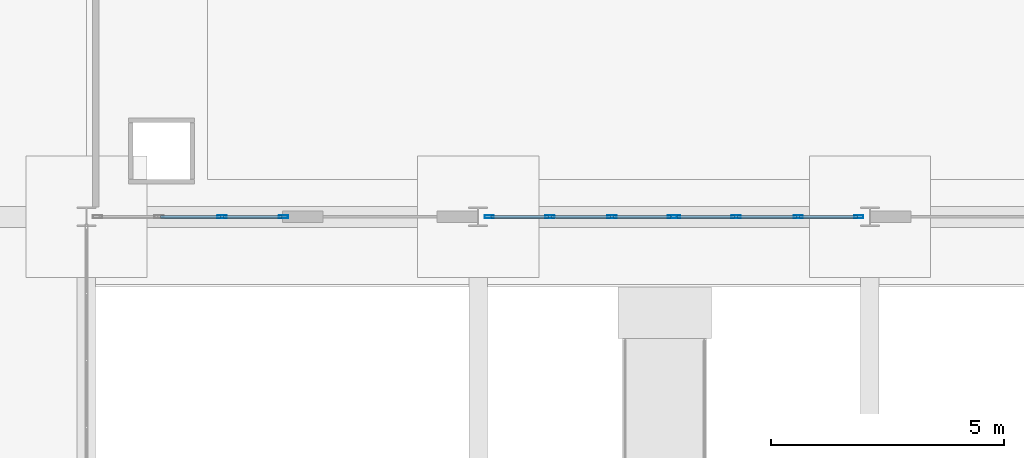
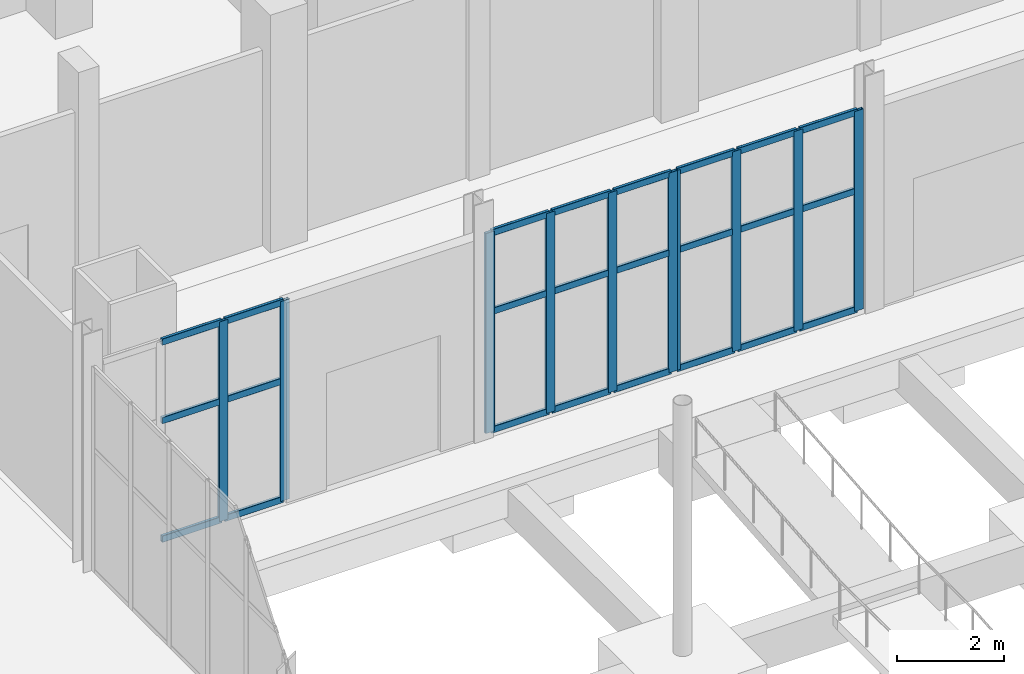
# One storey, part 40 of 95: 34 members, 3 elements without a shape of their own.
"""IFC4 building model written with IfcOpenShell, lengths in metres."""

from ifc_helpers import new_model, si_unit, direction, frame, origin, origin_2d, place, context, subcontext, project, spatial, hollow_rectangle, extrude, material, material_profile, profile_set, type_object, element, aggregate, save


model = new_model("IFC4")

# Units and contexts
model_context = context("Model", 3, precision=1e-05, world=origin(), true_north=direction((0.0, 1.0)))
body_context = subcontext(model_context, "Body", "Model", "MODEL_VIEW")
ifc_project = project(units=[si_unit("LENGTHUNIT", "METRE"), si_unit("AREAUNIT", "SQUARE_METRE"), si_unit("VOLUMEUNIT", "CUBIC_METRE"), si_unit("PLANEANGLEUNIT", "RADIAN"), si_unit("MASSUNIT", "GRAM", prefix="KILO")], contexts=[model_context])

# Site, building, storey
site_placement = place(None, origin())
site = spatial("IfcSite", under=ifc_project, at=site_placement, CompositionType="ELEMENT")
building_placement = place(site_placement, origin())
building = spatial("IfcBuilding", under=site, at=building_placement, Name="Shengluoqiao Park Theatre", CompositionType="ELEMENT")
storey_placement = place(building_placement, origin())
storey = spatial("IfcBuildingStorey", under=building, at=storey_placement, Name="L00", CompositionType="ELEMENT", Elevation=0.0)

# Curtain wall, members
ifc_material = material(Name="Aluminium 6063-T6", Category="aluminium")
curtain_wall_type = type_object("IfcCurtainWallType", Name="ENV-CW-PROM", PredefinedType="NOTDEFINED", material=ifc_material)
curtain_wall_1_placement = place(storey_placement, origin())
curtain_wall_1 = element("IfcCurtainWall", 1, at=curtain_wall_1_placement, inside=storey, type_object=curtain_wall_type, Name="L00 Curtain Wall CW-L00-0039", PredefinedType="NOTDEFINED")
ifc_material_profile_1 = material_profile(ifc_material, hollow_rectangle(XDim=0.06494140625, YDim=0.199951171875, WallThickness=0.0048828125, InnerFilletRadius=0.0048828125, OuterFilletRadius=0.010009765625, at=origin_2d()), Name="ALU MULLION 200x65x5")
ifc_profile_set_1 = profile_set([ifc_material_profile_1], Name="Aluminium 6063-T6")
member_type_1 = type_object("IfcMemberType", Name="ENV-MUL-200", PredefinedType="MULLION", material=ifc_profile_set_1)
member_1_placement = place(storey_placement, frame((47.308837890625, 68.39990234375, 0.0), z_axis=(0.0, 0.0, 1.0), x_axis=(0.0, 1.0, 0.0)))
member_1 = element("IfcMember", 2, at=member_1_placement, type_object=member_type_1, Name="CW-04 mullion 3", PredefinedType="MULLION", context=body_context, shape_type="SweptSolid", body=[
    extrude(hollow_rectangle(XDim=0.06494140625, YDim=0.199951171875, WallThickness=0.0048828125, InnerFilletRadius=0.0048828125, OuterFilletRadius=0.010009765625, at=origin_2d()), origin(), (0.0, 0.0, 1.0), 4.5419921875),
])
member_2_placement = place(storey_placement, frame((48.62744140625, 68.39990234375, 0.0), z_axis=(0.0, 0.0, 1.0), x_axis=(0.0, 1.0, 0.0)))
member_2 = element("IfcMember", 3, at=member_2_placement, type_object=member_type_1, Name="CW-04 mullion 4", PredefinedType="MULLION", context=body_context, shape_type="SweptSolid", body=[
    extrude(hollow_rectangle(XDim=0.06494140625, YDim=0.199951171875, WallThickness=0.0048828125, InnerFilletRadius=0.0048828125, OuterFilletRadius=0.010009765625, at=origin_2d()), origin(), (0.0, 0.0, 1.0), 4.5419921875),
])

curtain_wall_2_placement = place(storey_placement, origin())
curtain_wall_2 = element("IfcCurtainWall", 4, at=curtain_wall_2_placement, inside=storey, type_object=curtain_wall_type, Name="L00 Curtain Wall CW-L00-0040", PredefinedType="NOTDEFINED")
member_3_placement = place(storey_placement, frame((53.0390625, 68.39990234375, 0.0), z_axis=(0.0, 0.0, 1.0), x_axis=(0.0, 1.0, 0.0)))
member_3 = element("IfcMember", 5, at=member_3_placement, type_object=member_type_1, Name="CW-04 mullion 1", PredefinedType="MULLION", context=body_context, shape_type="SweptSolid", body=[
    extrude(hollow_rectangle(XDim=0.06494140625, YDim=0.199951171875, WallThickness=0.0048828125, InnerFilletRadius=0.0048828125, OuterFilletRadius=0.010009765625, at=origin_2d()), origin(), (0.0, 0.0, 1.0), 4.5419921875),
])
member_4_placement = place(storey_placement, frame((54.337646484375, 68.39990234375, 0.0), z_axis=(0.0, 0.0, 1.0), x_axis=(0.0, 1.0, 0.0)))
member_4 = element("IfcMember", 6, at=member_4_placement, type_object=member_type_1, Name="CW-04 mullion 2", PredefinedType="MULLION", context=body_context, shape_type="SweptSolid", body=[
    extrude(hollow_rectangle(XDim=0.06494140625, YDim=0.199951171875, WallThickness=0.0048828125, InnerFilletRadius=0.0048828125, OuterFilletRadius=0.010009765625, at=origin_2d()), origin(), (0.0, 0.0, 1.0), 4.5419921875),
])
member_5_placement = place(storey_placement, frame((55.6689453125, 68.39990234375, 0.0), z_axis=(0.0, 0.0, 1.0), x_axis=(0.0, 1.0, 0.0)))
member_5 = element("IfcMember", 7, at=member_5_placement, type_object=member_type_1, Name="CW-04 mullion 3", PredefinedType="MULLION", context=body_context, shape_type="SweptSolid", body=[
    extrude(hollow_rectangle(XDim=0.06494140625, YDim=0.199951171875, WallThickness=0.0048828125, InnerFilletRadius=0.0048828125, OuterFilletRadius=0.010009765625, at=origin_2d()), origin(), (0.0, 0.0, 1.0), 4.5419921875),
])
member_6_placement = place(storey_placement, frame((56.967529296875, 68.39990234375, 0.0), z_axis=(0.0, 0.0, 1.0), x_axis=(0.0, 1.0, 0.0)))
member_6 = element("IfcMember", 8, at=member_6_placement, type_object=member_type_1, Name="CW-04 mullion 4", PredefinedType="MULLION", context=body_context, shape_type="SweptSolid", body=[
    extrude(hollow_rectangle(XDim=0.06494140625, YDim=0.199951171875, WallThickness=0.0048828125, InnerFilletRadius=0.0048828125, OuterFilletRadius=0.010009765625, at=origin_2d()), origin(), (0.0, 0.0, 1.0), 4.5419921875),
])

curtain_wall_3_placement = place(storey_placement, origin())
curtain_wall_3 = element("IfcCurtainWall", 9, at=curtain_wall_3_placement, inside=storey, type_object=curtain_wall_type, Name="L00 Curtain Wall CW-L00-0041", PredefinedType="NOTDEFINED")
member_7_placement = place(storey_placement, frame((57.032470703125, 68.39990234375, 0.0), z_axis=(0.0, 0.0, 1.0), x_axis=(0.0, 1.0, 0.0)))
member_7 = element("IfcMember", 10, at=member_7_placement, type_object=member_type_1, Name="CW-04 mullion 1", PredefinedType="MULLION", context=body_context, shape_type="SweptSolid", body=[
    extrude(hollow_rectangle(XDim=0.06494140625, YDim=0.199951171875, WallThickness=0.0048828125, InnerFilletRadius=0.0048828125, OuterFilletRadius=0.010009765625, at=origin_2d()), origin(), (0.0, 0.0, 1.0), 4.5419921875),
])
member_8_placement = place(storey_placement, frame((58.3310546875, 68.39990234375, 0.0), z_axis=(0.0, 0.0, 1.0), x_axis=(0.0, 1.0, 0.0)))
member_8 = element("IfcMember", 11, at=member_8_placement, type_object=member_type_1, Name="CW-04 mullion 2", PredefinedType="MULLION", context=body_context, shape_type="SweptSolid", body=[
    extrude(hollow_rectangle(XDim=0.06494140625, YDim=0.199951171875, WallThickness=0.0048828125, InnerFilletRadius=0.0048828125, OuterFilletRadius=0.010009765625, at=origin_2d()), origin(), (0.0, 0.0, 1.0), 4.5419921875),
])
member_9_placement = place(storey_placement, frame((59.662353515625, 68.39990234375, 0.0), z_axis=(0.0, 0.0, 1.0), x_axis=(0.0, 1.0, 0.0)))
member_9 = element("IfcMember", 12, at=member_9_placement, type_object=member_type_1, Name="CW-04 mullion 3", PredefinedType="MULLION", context=body_context, shape_type="SweptSolid", body=[
    extrude(hollow_rectangle(XDim=0.06494140625, YDim=0.199951171875, WallThickness=0.0048828125, InnerFilletRadius=0.0048828125, OuterFilletRadius=0.010009765625, at=origin_2d()), origin(), (0.0, 0.0, 1.0), 4.5419921875),
])
member_10_placement = place(storey_placement, frame((60.9609375, 68.39990234375, 0.0), z_axis=(0.0, 0.0, 1.0), x_axis=(0.0, 1.0, 0.0)))
member_10 = element("IfcMember", 13, at=member_10_placement, type_object=member_type_1, Name="CW-04 mullion 4", PredefinedType="MULLION", context=body_context, shape_type="SweptSolid", body=[
    extrude(hollow_rectangle(XDim=0.06494140625, YDim=0.199951171875, WallThickness=0.0048828125, InnerFilletRadius=0.0048828125, OuterFilletRadius=0.010009765625, at=origin_2d()), origin(), (0.0, 0.0, 1.0), 4.5419921875),
])

# Member
ifc_material_profile_2 = material_profile(ifc_material, hollow_rectangle(XDim=0.06494140625, YDim=0.14990234375, WallThickness=0.00390625, InnerFilletRadius=0.00390625, OuterFilletRadius=0.008056640625, at=origin_2d()), Name="ALU TRANSOM 150x65x4")
ifc_profile_set_2 = profile_set([ifc_material_profile_2], Name="Aluminium 6063-T6")
member_type_2 = type_object("IfcMemberType", Name="ENV-TRN-150", PredefinedType="USERDEFINED", material=ifc_profile_set_2)
member_11_placement = place(storey_placement, frame((45.990234375, 68.39990234375, 0.032470703125), z_axis=(1.0, 0.0, 0.0), x_axis=(0.0, 1.0, 0.0)))
member_11 = element("IfcMember", 14, at=member_11_placement, type_object=member_type_2, Name="CW-04 transom 2.1", ObjectType="TRANSOM", PredefinedType="USERDEFINED", context=body_context, shape_type="SweptSolid", body=[
    extrude(hollow_rectangle(XDim=0.06494140625, YDim=0.14990234375, WallThickness=0.00390625, InnerFilletRadius=0.00390625, OuterFilletRadius=0.008056640625, at=origin_2d()), origin(), (0.0, 0.0, 1.0), 1.2861328125),
])

member_12_placement = place(storey_placement, frame((45.990234375, 68.39990234375, 2.72509765625), z_axis=(1.0, 0.0, 0.0), x_axis=(0.0, 1.0, 0.0)))
member_12 = element("IfcMember", 15, at=member_12_placement, type_object=member_type_2, Name="CW-04 transom 2.2", ObjectType="TRANSOM", PredefinedType="USERDEFINED", context=body_context, shape_type="SweptSolid", body=[
    extrude(hollow_rectangle(XDim=0.06494140625, YDim=0.14990234375, WallThickness=0.00390625, InnerFilletRadius=0.00390625, OuterFilletRadius=0.008056640625, at=origin_2d()), origin(), (0.0, 0.0, 1.0), 1.2861328125),
])

member_13_placement = place(storey_placement, frame((45.990234375, 68.39990234375, 4.509521484375), z_axis=(1.0, 0.0, 0.0), x_axis=(0.0, 1.0, 0.0)))
member_13 = element("IfcMember", 16, at=member_13_placement, type_object=member_type_2, Name="CW-04 transom 2.3", ObjectType="TRANSOM", PredefinedType="USERDEFINED", context=body_context, shape_type="SweptSolid", body=[
    extrude(hollow_rectangle(XDim=0.06494140625, YDim=0.14990234375, WallThickness=0.00390625, InnerFilletRadius=0.00390625, OuterFilletRadius=0.008056640625, at=origin_2d()), origin(), (0.0, 0.0, 1.0), 1.2861328125),
])

member_14_placement = place(storey_placement, frame((47.34130859375, 68.39990234375, 0.032470703125), z_axis=(1.0, 0.0, 0.0), x_axis=(0.0, 1.0, 0.0)))
member_14 = element("IfcMember", 17, at=member_14_placement, type_object=member_type_2, Name="CW-04 transom 3.1", ObjectType="TRANSOM", PredefinedType="USERDEFINED", context=body_context, shape_type="SweptSolid", body=[
    extrude(hollow_rectangle(XDim=0.06494140625, YDim=0.14990234375, WallThickness=0.00390625, InnerFilletRadius=0.00390625, OuterFilletRadius=0.008056640625, at=origin_2d()), origin(), (0.0, 0.0, 1.0), 1.253662109375),
])

member_15_placement = place(storey_placement, frame((47.34130859375, 68.39990234375, 2.72509765625), z_axis=(1.0, 0.0, 0.0), x_axis=(0.0, 1.0, 0.0)))
member_15 = element("IfcMember", 18, at=member_15_placement, type_object=member_type_2, Name="CW-04 transom 3.2", ObjectType="TRANSOM", PredefinedType="USERDEFINED", context=body_context, shape_type="SweptSolid", body=[
    extrude(hollow_rectangle(XDim=0.06494140625, YDim=0.14990234375, WallThickness=0.00390625, InnerFilletRadius=0.00390625, OuterFilletRadius=0.008056640625, at=origin_2d()), origin(), (0.0, 0.0, 1.0), 1.253662109375),
])

member_16_placement = place(storey_placement, frame((47.34130859375, 68.39990234375, 4.509521484375), z_axis=(1.0, 0.0, 0.0), x_axis=(0.0, 1.0, 0.0)))
member_16 = element("IfcMember", 19, at=member_16_placement, type_object=member_type_2, Name="CW-04 transom 3.3", ObjectType="TRANSOM", PredefinedType="USERDEFINED", context=body_context, shape_type="SweptSolid", body=[
    extrude(hollow_rectangle(XDim=0.06494140625, YDim=0.14990234375, WallThickness=0.00390625, InnerFilletRadius=0.00390625, OuterFilletRadius=0.008056640625, at=origin_2d()), origin(), (0.0, 0.0, 1.0), 1.253662109375),
])

aggregate(curtain_wall_1, [member_1, member_2, member_11, member_12, member_13, member_14, member_15, member_16])

member_17_placement = place(storey_placement, frame((53.071533203125, 68.39990234375, 0.032470703125), z_axis=(1.0, 0.0, 0.0), x_axis=(0.0, 1.0, 0.0)))
member_17 = element("IfcMember", 20, at=member_17_placement, type_object=member_type_2, Name="CW-04 transom 1.1", ObjectType="TRANSOM", PredefinedType="USERDEFINED", context=body_context, shape_type="SweptSolid", body=[
    extrude(hollow_rectangle(XDim=0.06494140625, YDim=0.14990234375, WallThickness=0.00390625, InnerFilletRadius=0.00390625, OuterFilletRadius=0.008056640625, at=origin_2d()), origin(), (0.0, 0.0, 1.0), 1.233642578125),
])

member_18_placement = place(storey_placement, frame((53.071533203125, 68.39990234375, 2.72509765625), z_axis=(1.0, 0.0, 0.0), x_axis=(0.0, 1.0, 0.0)))
member_18 = element("IfcMember", 21, at=member_18_placement, type_object=member_type_2, Name="CW-04 transom 1.2", ObjectType="TRANSOM", PredefinedType="USERDEFINED", context=body_context, shape_type="SweptSolid", body=[
    extrude(hollow_rectangle(XDim=0.06494140625, YDim=0.14990234375, WallThickness=0.00390625, InnerFilletRadius=0.00390625, OuterFilletRadius=0.008056640625, at=origin_2d()), origin(), (0.0, 0.0, 1.0), 1.233642578125),
])

member_19_placement = place(storey_placement, frame((53.071533203125, 68.39990234375, 4.509521484375), z_axis=(1.0, 0.0, 0.0), x_axis=(0.0, 1.0, 0.0)))
member_19 = element("IfcMember", 22, at=member_19_placement, type_object=member_type_2, Name="CW-04 transom 1.3", ObjectType="TRANSOM", PredefinedType="USERDEFINED", context=body_context, shape_type="SweptSolid", body=[
    extrude(hollow_rectangle(XDim=0.06494140625, YDim=0.14990234375, WallThickness=0.00390625, InnerFilletRadius=0.00390625, OuterFilletRadius=0.008056640625, at=origin_2d()), origin(), (0.0, 0.0, 1.0), 1.233642578125),
])

member_20_placement = place(storey_placement, frame((54.3701171875, 68.39990234375, 0.032470703125), z_axis=(1.0, 0.0, 0.0), x_axis=(0.0, 1.0, 0.0)))
member_20 = element("IfcMember", 23, at=member_20_placement, type_object=member_type_2, Name="CW-04 transom 2.1", ObjectType="TRANSOM", PredefinedType="USERDEFINED", context=body_context, shape_type="SweptSolid", body=[
    extrude(hollow_rectangle(XDim=0.06494140625, YDim=0.14990234375, WallThickness=0.00390625, InnerFilletRadius=0.00390625, OuterFilletRadius=0.008056640625, at=origin_2d()), origin(), (0.0, 0.0, 1.0), 1.26611328125),
])

member_21_placement = place(storey_placement, frame((54.3701171875, 68.39990234375, 2.72509765625), z_axis=(1.0, 0.0, 0.0), x_axis=(0.0, 1.0, 0.0)))
member_21 = element("IfcMember", 24, at=member_21_placement, type_object=member_type_2, Name="CW-04 transom 2.2", ObjectType="TRANSOM", PredefinedType="USERDEFINED", context=body_context, shape_type="SweptSolid", body=[
    extrude(hollow_rectangle(XDim=0.06494140625, YDim=0.14990234375, WallThickness=0.00390625, InnerFilletRadius=0.00390625, OuterFilletRadius=0.008056640625, at=origin_2d()), origin(), (0.0, 0.0, 1.0), 1.26611328125),
])

member_22_placement = place(storey_placement, frame((54.3701171875, 68.39990234375, 4.509521484375), z_axis=(1.0, 0.0, 0.0), x_axis=(0.0, 1.0, 0.0)))
member_22 = element("IfcMember", 25, at=member_22_placement, type_object=member_type_2, Name="CW-04 transom 2.3", ObjectType="TRANSOM", PredefinedType="USERDEFINED", context=body_context, shape_type="SweptSolid", body=[
    extrude(hollow_rectangle(XDim=0.06494140625, YDim=0.14990234375, WallThickness=0.00390625, InnerFilletRadius=0.00390625, OuterFilletRadius=0.008056640625, at=origin_2d()), origin(), (0.0, 0.0, 1.0), 1.26611328125),
])

member_23_placement = place(storey_placement, frame((55.701416015625, 68.39990234375, 0.032470703125), z_axis=(1.0, 0.0, 0.0), x_axis=(0.0, 1.0, 0.0)))
member_23 = element("IfcMember", 26, at=member_23_placement, type_object=member_type_2, Name="CW-04 transom 3.1", ObjectType="TRANSOM", PredefinedType="USERDEFINED", context=body_context, shape_type="SweptSolid", body=[
    extrude(hollow_rectangle(XDim=0.06494140625, YDim=0.14990234375, WallThickness=0.00390625, InnerFilletRadius=0.00390625, OuterFilletRadius=0.008056640625, at=origin_2d()), origin(), (0.0, 0.0, 1.0), 1.233642578125),
])

member_24_placement = place(storey_placement, frame((55.701416015625, 68.39990234375, 2.72509765625), z_axis=(1.0, 0.0, 0.0), x_axis=(0.0, 1.0, 0.0)))
member_24 = element("IfcMember", 27, at=member_24_placement, type_object=member_type_2, Name="CW-04 transom 3.2", ObjectType="TRANSOM", PredefinedType="USERDEFINED", context=body_context, shape_type="SweptSolid", body=[
    extrude(hollow_rectangle(XDim=0.06494140625, YDim=0.14990234375, WallThickness=0.00390625, InnerFilletRadius=0.00390625, OuterFilletRadius=0.008056640625, at=origin_2d()), origin(), (0.0, 0.0, 1.0), 1.233642578125),
])

member_25_placement = place(storey_placement, frame((55.701416015625, 68.39990234375, 4.509521484375), z_axis=(1.0, 0.0, 0.0), x_axis=(0.0, 1.0, 0.0)))
member_25 = element("IfcMember", 28, at=member_25_placement, type_object=member_type_2, Name="CW-04 transom 3.3", ObjectType="TRANSOM", PredefinedType="USERDEFINED", context=body_context, shape_type="SweptSolid", body=[
    extrude(hollow_rectangle(XDim=0.06494140625, YDim=0.14990234375, WallThickness=0.00390625, InnerFilletRadius=0.00390625, OuterFilletRadius=0.008056640625, at=origin_2d()), origin(), (0.0, 0.0, 1.0), 1.233642578125),
])

aggregate(curtain_wall_2, [member_3, member_4, member_5, member_6, member_17, member_18, member_19, member_20, member_21, member_22, member_23, member_24, member_25])

member_26_placement = place(storey_placement, frame((57.06494140625, 68.39990234375, 0.032470703125), z_axis=(1.0, 0.0, 0.0), x_axis=(0.0, 1.0, 0.0)))
member_26 = element("IfcMember", 29, at=member_26_placement, type_object=member_type_2, Name="CW-04 transom 1.1", ObjectType="TRANSOM", PredefinedType="USERDEFINED", context=body_context, shape_type="SweptSolid", body=[
    extrude(hollow_rectangle(XDim=0.06494140625, YDim=0.14990234375, WallThickness=0.00390625, InnerFilletRadius=0.00390625, OuterFilletRadius=0.008056640625, at=origin_2d()), origin(), (0.0, 0.0, 1.0), 1.233642578125),
])

member_27_placement = place(storey_placement, frame((57.06494140625, 68.39990234375, 2.72509765625), z_axis=(1.0, 0.0, 0.0), x_axis=(0.0, 1.0, 0.0)))
member_27 = element("IfcMember", 30, at=member_27_placement, type_object=member_type_2, Name="CW-04 transom 1.2", ObjectType="TRANSOM", PredefinedType="USERDEFINED", context=body_context, shape_type="SweptSolid", body=[
    extrude(hollow_rectangle(XDim=0.06494140625, YDim=0.14990234375, WallThickness=0.00390625, InnerFilletRadius=0.00390625, OuterFilletRadius=0.008056640625, at=origin_2d()), origin(), (0.0, 0.0, 1.0), 1.233642578125),
])

member_28_placement = place(storey_placement, frame((57.06494140625, 68.39990234375, 4.509521484375), z_axis=(1.0, 0.0, 0.0), x_axis=(0.0, 1.0, 0.0)))
member_28 = element("IfcMember", 31, at=member_28_placement, type_object=member_type_2, Name="CW-04 transom 1.3", ObjectType="TRANSOM", PredefinedType="USERDEFINED", context=body_context, shape_type="SweptSolid", body=[
    extrude(hollow_rectangle(XDim=0.06494140625, YDim=0.14990234375, WallThickness=0.00390625, InnerFilletRadius=0.00390625, OuterFilletRadius=0.008056640625, at=origin_2d()), origin(), (0.0, 0.0, 1.0), 1.233642578125),
])

member_29_placement = place(storey_placement, frame((58.36376953125, 68.39990234375, 0.032470703125), z_axis=(1.0, 0.0, 0.0), x_axis=(0.0, 1.0, 0.0)))
member_29 = element("IfcMember", 32, at=member_29_placement, type_object=member_type_2, Name="CW-04 transom 2.1", ObjectType="TRANSOM", PredefinedType="USERDEFINED", context=body_context, shape_type="SweptSolid", body=[
    extrude(hollow_rectangle(XDim=0.06494140625, YDim=0.14990234375, WallThickness=0.00390625, InnerFilletRadius=0.00390625, OuterFilletRadius=0.008056640625, at=origin_2d()), origin(), (0.0, 0.0, 1.0), 1.26611328125),
])

member_30_placement = place(storey_placement, frame((58.36376953125, 68.39990234375, 2.72509765625), z_axis=(1.0, 0.0, 0.0), x_axis=(0.0, 1.0, 0.0)))
member_30 = element("IfcMember", 33, at=member_30_placement, type_object=member_type_2, Name="CW-04 transom 2.2", ObjectType="TRANSOM", PredefinedType="USERDEFINED", context=body_context, shape_type="SweptSolid", body=[
    extrude(hollow_rectangle(XDim=0.06494140625, YDim=0.14990234375, WallThickness=0.00390625, InnerFilletRadius=0.00390625, OuterFilletRadius=0.008056640625, at=origin_2d()), origin(), (0.0, 0.0, 1.0), 1.26611328125),
])

member_31_placement = place(storey_placement, frame((58.36376953125, 68.39990234375, 4.509521484375), z_axis=(1.0, 0.0, 0.0), x_axis=(0.0, 1.0, 0.0)))
member_31 = element("IfcMember", 34, at=member_31_placement, type_object=member_type_2, Name="CW-04 transom 2.3", ObjectType="TRANSOM", PredefinedType="USERDEFINED", context=body_context, shape_type="SweptSolid", body=[
    extrude(hollow_rectangle(XDim=0.06494140625, YDim=0.14990234375, WallThickness=0.00390625, InnerFilletRadius=0.00390625, OuterFilletRadius=0.008056640625, at=origin_2d()), origin(), (0.0, 0.0, 1.0), 1.26611328125),
])

member_32_placement = place(storey_placement, frame((59.69482421875, 68.39990234375, 0.032470703125), z_axis=(1.0, 0.0, 0.0), x_axis=(0.0, 1.0, 0.0)))
member_32 = element("IfcMember", 35, at=member_32_placement, type_object=member_type_2, Name="CW-04 transom 3.1", ObjectType="TRANSOM", PredefinedType="USERDEFINED", context=body_context, shape_type="SweptSolid", body=[
    extrude(hollow_rectangle(XDim=0.06494140625, YDim=0.14990234375, WallThickness=0.00390625, InnerFilletRadius=0.00390625, OuterFilletRadius=0.008056640625, at=origin_2d()), origin(), (0.0, 0.0, 1.0), 1.233642578125),
])

member_33_placement = place(storey_placement, frame((59.69482421875, 68.39990234375, 2.72509765625), z_axis=(1.0, 0.0, 0.0), x_axis=(0.0, 1.0, 0.0)))
member_33 = element("IfcMember", 36, at=member_33_placement, type_object=member_type_2, Name="CW-04 transom 3.2", ObjectType="TRANSOM", PredefinedType="USERDEFINED", context=body_context, shape_type="SweptSolid", body=[
    extrude(hollow_rectangle(XDim=0.06494140625, YDim=0.14990234375, WallThickness=0.00390625, InnerFilletRadius=0.00390625, OuterFilletRadius=0.008056640625, at=origin_2d()), origin(), (0.0, 0.0, 1.0), 1.233642578125),
])

member_34_placement = place(storey_placement, frame((59.69482421875, 68.39990234375, 4.509521484375), z_axis=(1.0, 0.0, 0.0), x_axis=(0.0, 1.0, 0.0)))
member_34 = element("IfcMember", 37, at=member_34_placement, type_object=member_type_2, Name="CW-04 transom 3.3", ObjectType="TRANSOM", PredefinedType="USERDEFINED", context=body_context, shape_type="SweptSolid", body=[
    extrude(hollow_rectangle(XDim=0.06494140625, YDim=0.14990234375, WallThickness=0.00390625, InnerFilletRadius=0.00390625, OuterFilletRadius=0.008056640625, at=origin_2d()), origin(), (0.0, 0.0, 1.0), 1.233642578125),
])

aggregate(curtain_wall_3, [member_7, member_8, member_9, member_10, member_26, member_27, member_28, member_29, member_30, member_31, member_32, member_33, member_34])

save(model, "model.ifc")
